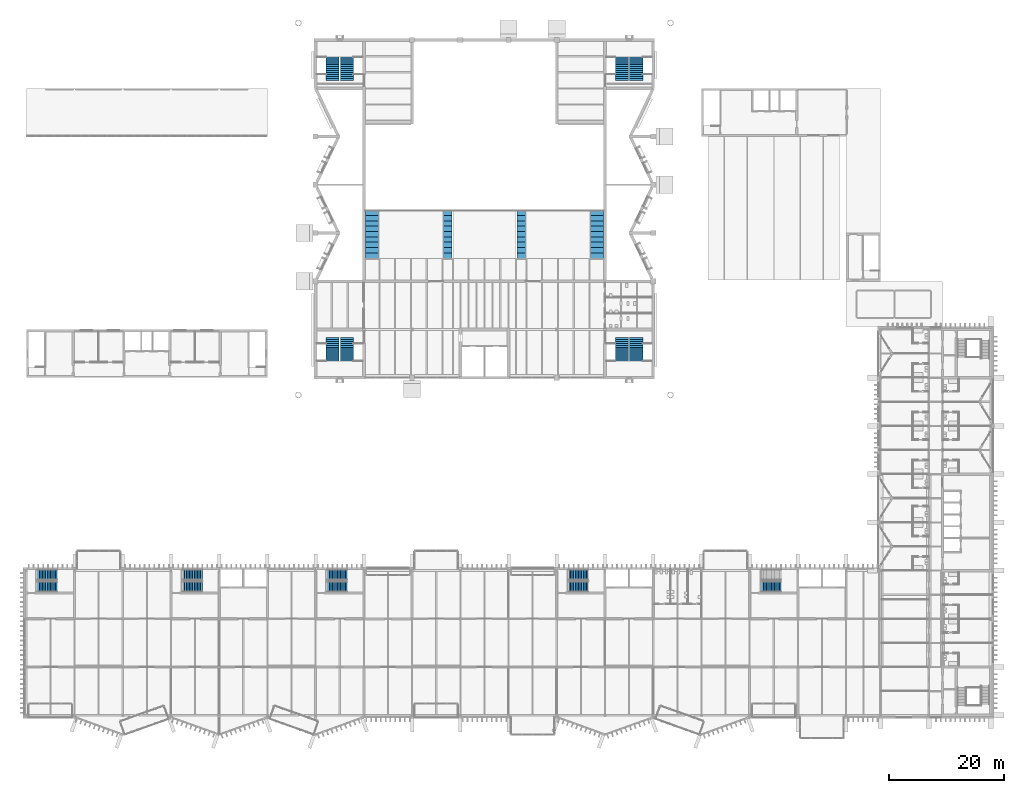
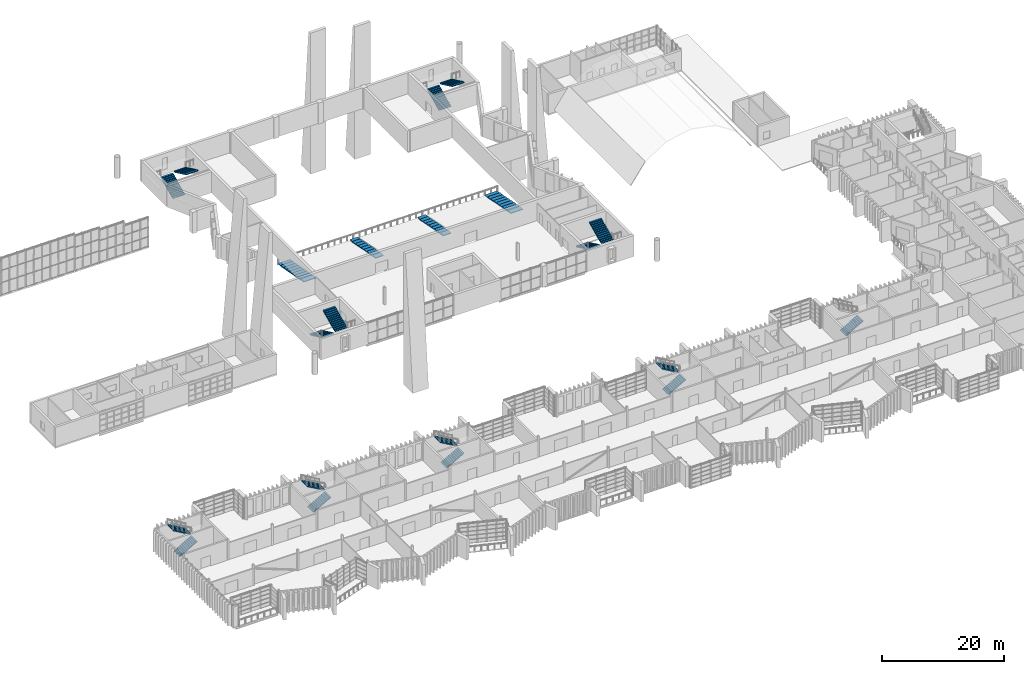
# One storey, part 80 of 100: 21 stair flights, 13 elements without a shape of their own.
"""IFC4 building model written with IfcOpenShell, lengths in metres."""

from ifc_helpers import new_model, si_unit, direction, frame, origin, place, context, subcontext, project, spatial, polyline, outline, extrude, material, type_object, element, aggregate, save


model = new_model("IFC4")

# Units and contexts
model_context = context("Model", 3, precision=1e-05, world=origin(), true_north=direction((0.0, 1.0)))
body_context = subcontext(model_context, "Body", "Model", "MODEL_VIEW")
ifc_project = project(units=[si_unit("LENGTHUNIT", "METRE"), si_unit("AREAUNIT", "SQUARE_METRE"), si_unit("VOLUMEUNIT", "CUBIC_METRE"), si_unit("PLANEANGLEUNIT", "RADIAN"), si_unit("MASSUNIT", "GRAM", prefix="KILO")], contexts=[model_context])

# Site, building, storey
site_placement = place(None, origin())
site = spatial("IfcSite", under=ifc_project, at=site_placement, CompositionType="ELEMENT")
building_placement = place(site_placement, origin())
building = spatial("IfcBuilding", under=site, at=building_placement, Name="Cresset Court Congress Hotel", CompositionType="ELEMENT")
storey_placement = place(building_placement, frame((0.0, 0.0, 10.199951171875)))
storey = spatial("IfcBuildingStorey", under=building, at=storey_placement, Name="L02", CompositionType="ELEMENT", Elevation=10.199951171875)

# Stair, stair flight
ifc_material_1 = material(Name="Concrete C40", Category="concrete")
stair_type_1 = type_object("IfcStairType", Name="Balcony aisle stair", PredefinedType="STRAIGHT_RUN_STAIR", material=ifc_material_1)
stair_1_placement = place(storey_placement, origin())
stair_1 = element("IfcStair", 1, at=stair_1_placement, inside=storey, type_object=stair_type_1, Name="Balcony aisle stair BS-1", PredefinedType="STRAIGHT_RUN_STAIR")
ifc_material_2 = material(Name="Concrete C40", Category="concrete")
stair_flight_type_1 = type_object("IfcStairFlightType", Name="Balcony aisle stair flight", PredefinedType="STRAIGHT", material=ifc_material_2)
stair_flight_1_placement = place(storey_placement, frame((68.60009765625, 88.0, -1.753173828125), z_axis=(0.0, 0.0, 1.0), x_axis=(0.0, -1.0, 0.0)))
stair_flight_1 = element("IfcStairFlight", 2, at=stair_flight_1_placement, type_object=stair_flight_type_1, Name="C-BS flight 1", NumberOfRisers=10, NumberOfTreads=9, PredefinedType="STRAIGHT", RiserHeight=0.175, TreadLength=0.933333333, context=body_context, shape_type="SweptSolid", body=[
    extrude(outline(polyline([(0.0, 0.0), (0.0, 0.175048828125), (0.933349609375, 0.175048828125), (0.933349609375, 0.35009765625), (1.86669921875, 0.35009765625), (1.86669921875, 0.52490234375), (2.800048828125, 0.52490234375), (2.800048828125, 0.699951171875), (3.7333984375, 0.699951171875), (3.7333984375, 0.875), (4.666748046875, 0.875), (4.666748046875, 1.050048828125), (5.60009765625, 1.050048828125), (5.60009765625, 1.22509765625), (6.533447265625, 1.22509765625), (6.533447265625, 1.39990234375), (7.466552734375, 1.39990234375), (7.466552734375, 1.574951171875), (8.39990234375, 1.574951171875), (8.39990234375, 1.75), (8.39990234375, 1.422607421875), (0.8134765625, 0.0), (0.0, 0.0)])), frame((0.0, 1.14990234375, 0.0), z_axis=(0.0, -1.0, 0.0), x_axis=(1.0, 0.0, 0.0)), (0.0, 0.0, 1.0), 2.300048828125),
])
aggregate(stair_1, [stair_flight_1])

stair_2_placement = place(storey_placement, origin())
stair_2 = element("IfcStair", 3, at=stair_2_placement, inside=storey, type_object=stair_type_1, Name="Balcony aisle stair BS-2", PredefinedType="STRAIGHT_RUN_STAIR")
stair_flight_2_placement = place(storey_placement, frame((81.800048828125, 88.0, -1.753173828125), z_axis=(0.0, 0.0, 1.0), x_axis=(0.0, -1.0, 0.0)))
stair_flight_2 = element("IfcStairFlight", 4, at=stair_flight_2_placement, type_object=stair_flight_type_1, Name="C-BS flight 1", NumberOfRisers=10, NumberOfTreads=9, PredefinedType="STRAIGHT", RiserHeight=0.175, TreadLength=0.933333333, context=body_context, shape_type="SweptSolid", body=[
    extrude(outline(polyline([(0.0, 0.0), (0.0, 0.175048828125), (0.933349609375, 0.175048828125), (0.933349609375, 0.35009765625), (1.86669921875, 0.35009765625), (1.86669921875, 0.52490234375), (2.800048828125, 0.52490234375), (2.800048828125, 0.699951171875), (3.7333984375, 0.699951171875), (3.7333984375, 0.875), (4.666748046875, 0.875), (4.666748046875, 1.050048828125), (5.60009765625, 1.050048828125), (5.60009765625, 1.22509765625), (6.533447265625, 1.22509765625), (6.533447265625, 1.39990234375), (7.466552734375, 1.39990234375), (7.466552734375, 1.574951171875), (8.39990234375, 1.574951171875), (8.39990234375, 1.75), (8.39990234375, 1.422607421875), (0.8134765625, 0.0), (0.0, 0.0)])), frame((0.0, 0.75, 0.0), z_axis=(0.0, -1.0, 0.0), x_axis=(1.0, 0.0, 0.0)), (0.0, 0.0, 1.0), 1.5),
])
aggregate(stair_2, [stair_flight_2])

stair_3_placement = place(storey_placement, origin())
stair_3 = element("IfcStair", 5, at=stair_3_placement, inside=storey, type_object=stair_type_1, Name="Balcony aisle stair BS-3", PredefinedType="STRAIGHT_RUN_STAIR")
stair_flight_3_placement = place(storey_placement, frame((94.60009765625, 88.0, -1.753173828125), z_axis=(0.0, 0.0, 1.0), x_axis=(0.0, -1.0, 0.0)))
stair_flight_3 = element("IfcStairFlight", 6, at=stair_flight_3_placement, type_object=stair_flight_type_1, Name="C-BS flight 1", NumberOfRisers=10, NumberOfTreads=9, PredefinedType="STRAIGHT", RiserHeight=0.175, TreadLength=0.933333333, context=body_context, shape_type="SweptSolid", body=[
    extrude(outline(polyline([(0.0, 0.0), (0.0, 0.175048828125), (0.933349609375, 0.175048828125), (0.933349609375, 0.35009765625), (1.86669921875, 0.35009765625), (1.86669921875, 0.52490234375), (2.800048828125, 0.52490234375), (2.800048828125, 0.699951171875), (3.7333984375, 0.699951171875), (3.7333984375, 0.875), (4.666748046875, 0.875), (4.666748046875, 1.050048828125), (5.60009765625, 1.050048828125), (5.60009765625, 1.22509765625), (6.533447265625, 1.22509765625), (6.533447265625, 1.39990234375), (7.466552734375, 1.39990234375), (7.466552734375, 1.574951171875), (8.39990234375, 1.574951171875), (8.39990234375, 1.75), (8.39990234375, 1.422607421875), (0.8134765625, 0.0), (0.0, 0.0)])), frame((0.0, 0.75, 0.0), z_axis=(0.0, -1.0, 0.0), x_axis=(1.0, 0.0, 0.0)), (0.0, 0.0, 1.0), 1.5),
])
aggregate(stair_3, [stair_flight_3])

stair_4_placement = place(storey_placement, origin())
stair_4 = element("IfcStair", 7, at=stair_4_placement, inside=storey, type_object=stair_type_1, Name="Balcony aisle stair BS-4", PredefinedType="STRAIGHT_RUN_STAIR")
stair_flight_4_placement = place(storey_placement, frame((107.800048828125, 88.0, -1.753173828125), z_axis=(0.0, 0.0, 1.0), x_axis=(0.0, -1.0, 0.0)))
stair_flight_4 = element("IfcStairFlight", 8, at=stair_flight_4_placement, type_object=stair_flight_type_1, Name="C-BS flight 1", NumberOfRisers=10, NumberOfTreads=9, PredefinedType="STRAIGHT", RiserHeight=0.175, TreadLength=0.933333333, context=body_context, shape_type="SweptSolid", body=[
    extrude(outline(polyline([(0.0, 0.0), (0.0, 0.175048828125), (0.933349609375, 0.175048828125), (0.933349609375, 0.35009765625), (1.86669921875, 0.35009765625), (1.86669921875, 0.52490234375), (2.800048828125, 0.52490234375), (2.800048828125, 0.699951171875), (3.7333984375, 0.699951171875), (3.7333984375, 0.875), (4.666748046875, 0.875), (4.666748046875, 1.050048828125), (5.60009765625, 1.050048828125), (5.60009765625, 1.22509765625), (6.533447265625, 1.22509765625), (6.533447265625, 1.39990234375), (7.466552734375, 1.39990234375), (7.466552734375, 1.574951171875), (8.39990234375, 1.574951171875), (8.39990234375, 1.75), (8.39990234375, 1.422607421875), (0.8134765625, 0.0), (0.0, 0.0)])), frame((0.0, 1.14990234375, 0.0), z_axis=(0.0, -1.0, 0.0), x_axis=(1.0, 0.0, 0.0)), (0.0, 0.0, 1.0), 2.300048828125),
])
aggregate(stair_4, [stair_flight_4])

# Stair, stair flights
ifc_material_3 = material(Name="Concrete C40", Category="concrete")
stair_type_2 = type_object("IfcStairType", Name="Core stair", PredefinedType="STRAIGHT_RUN_STAIR", material=ifc_material_3)
stair_5_placement = place(storey_placement, origin())
stair_5 = element("IfcStair", 9, at=stair_5_placement, inside=storey, type_object=stair_type_2, Name="Stair ST-C1 L02", PredefinedType="STRAIGHT_RUN_STAIR")
ifc_material_4 = material(Name="Concrete C40", Category="concrete")
stair_flight_type_2 = type_object("IfcStairFlightType", Name="Core stair flight", PredefinedType="STRAIGHT", material=ifc_material_4)
stair_flight_5_placement = place(storey_placement, frame((61.75, 65.800048828125, 0.0), z_axis=(0.0, 0.0, 1.0), x_axis=(0.0, -1.0, 0.0)))
stair_flight_5 = element("IfcStairFlight", 10, at=stair_flight_5_placement, type_object=stair_flight_type_2, Name="C-ST flight 1", NumberOfRisers=13, NumberOfTreads=12, PredefinedType="STRAIGHT", RiserHeight=0.161538462, TreadLength=0.34, context=body_context, shape_type="SweptSolid", body=[
    extrude(outline(polyline([(0.0, 0.0), (0.0, 0.16162109375), (0.340087890625, 0.16162109375), (0.340087890625, 0.322998046875), (0.679931640625, 0.322998046875), (0.679931640625, 0.484619140625), (1.02001953125, 0.484619140625), (1.02001953125, 0.646240234375), (1.360107421875, 0.646240234375), (1.360107421875, 0.8076171875), (1.699951171875, 0.8076171875), (1.699951171875, 0.96923828125), (2.0400390625, 0.96923828125), (2.0400390625, 1.130859375), (2.3798828125, 1.130859375), (2.3798828125, 1.292236328125), (2.719970703125, 1.292236328125), (2.719970703125, 1.453857421875), (3.06005859375, 1.453857421875), (3.06005859375, 1.615478515625), (3.39990234375, 1.615478515625), (3.39990234375, 1.77685546875), (3.739990234375, 1.77685546875), (3.739990234375, 1.9384765625), (4.080078125, 1.9384765625), (4.080078125, 2.10009765625), (4.080078125, 1.7724609375), (0.349365234375, 0.0), (0.0, 0.0)])), frame((0.0, 1.14990234375, 0.0), z_axis=(0.0, -1.0, 0.0), x_axis=(1.0, 0.0, 0.0)), (0.0, 0.0, 1.0), 2.300048828125),
])
stair_flight_6_placement = place(storey_placement, frame((64.25, 61.719970703125, 2.10009765625), z_axis=(0.0, 0.0, 1.0), x_axis=(0.0, 1.0, 0.0)))
stair_flight_6 = element("IfcStairFlight", 11, at=stair_flight_6_placement, type_object=stair_flight_type_2, Name="C-ST flight 2", NumberOfRisers=13, NumberOfTreads=12, PredefinedType="STRAIGHT", RiserHeight=0.161538462, TreadLength=0.34, context=body_context, shape_type="SweptSolid", body=[
    extrude(outline(polyline([(0.0, 0.0), (0.0, 0.16162109375), (0.340087890625, 0.16162109375), (0.340087890625, 0.322998046875), (0.679931640625, 0.322998046875), (0.679931640625, 0.484619140625), (1.02001953125, 0.484619140625), (1.02001953125, 0.646240234375), (1.360107421875, 0.646240234375), (1.360107421875, 0.8076171875), (1.699951171875, 0.8076171875), (1.699951171875, 0.96923828125), (2.0400390625, 0.96923828125), (2.0400390625, 1.130859375), (2.3798828125, 1.130859375), (2.3798828125, 1.292236328125), (2.719970703125, 1.292236328125), (2.719970703125, 1.453857421875), (3.06005859375, 1.453857421875), (3.06005859375, 1.615478515625), (3.39990234375, 1.615478515625), (3.39990234375, 1.77685546875), (3.739990234375, 1.77685546875), (3.739990234375, 1.9384765625), (4.080078125, 1.9384765625), (4.080078125, 2.10009765625), (4.080078125, 1.7724609375), (0.349365234375, 0.0), (0.0, 0.0)])), frame((0.0, 1.14990234375, 0.0), z_axis=(0.0, -1.0, 0.0), x_axis=(1.0, 0.0, 0.0)), (0.0, 0.0, 1.0), 2.300048828125),
])
aggregate(stair_5, [stair_flight_5, stair_flight_6])

stair_6_placement = place(storey_placement, origin())
stair_6 = element("IfcStair", 12, at=stair_6_placement, inside=storey, type_object=stair_type_2, Name="Stair ST-C2 L02", PredefinedType="STRAIGHT_RUN_STAIR")
stair_flight_7_placement = place(storey_placement, frame((112.14990234375, 65.800048828125, 0.0), z_axis=(0.0, 0.0, 1.0), x_axis=(0.0, -1.0, 0.0)))
stair_flight_7 = element("IfcStairFlight", 13, at=stair_flight_7_placement, type_object=stair_flight_type_2, Name="C-ST flight 1", NumberOfRisers=13, NumberOfTreads=12, PredefinedType="STRAIGHT", RiserHeight=0.161538462, TreadLength=0.34, context=body_context, shape_type="SweptSolid", body=[
    extrude(outline(polyline([(0.0, 0.0), (0.0, 0.16162109375), (0.340087890625, 0.16162109375), (0.340087890625, 0.322998046875), (0.679931640625, 0.322998046875), (0.679931640625, 0.484619140625), (1.02001953125, 0.484619140625), (1.02001953125, 0.646240234375), (1.360107421875, 0.646240234375), (1.360107421875, 0.8076171875), (1.699951171875, 0.8076171875), (1.699951171875, 0.96923828125), (2.0400390625, 0.96923828125), (2.0400390625, 1.130859375), (2.3798828125, 1.130859375), (2.3798828125, 1.292236328125), (2.719970703125, 1.292236328125), (2.719970703125, 1.453857421875), (3.06005859375, 1.453857421875), (3.06005859375, 1.615478515625), (3.39990234375, 1.615478515625), (3.39990234375, 1.77685546875), (3.739990234375, 1.77685546875), (3.739990234375, 1.9384765625), (4.080078125, 1.9384765625), (4.080078125, 2.10009765625), (4.080078125, 1.7724609375), (0.349365234375, 0.0), (0.0, 0.0)])), frame((0.0, 1.14990234375, 0.0), z_axis=(0.0, -1.0, 0.0), x_axis=(1.0, 0.0, 0.0)), (0.0, 0.0, 1.0), 2.300048828125),
])
stair_flight_8_placement = place(storey_placement, frame((114.64990234375, 61.719970703125, 2.10009765625), z_axis=(0.0, 0.0, 1.0), x_axis=(0.0, 1.0, 0.0)))
stair_flight_8 = element("IfcStairFlight", 14, at=stair_flight_8_placement, type_object=stair_flight_type_2, Name="C-ST flight 2", NumberOfRisers=13, NumberOfTreads=12, PredefinedType="STRAIGHT", RiserHeight=0.161538462, TreadLength=0.34, context=body_context, shape_type="SweptSolid", body=[
    extrude(outline(polyline([(0.0, 0.0), (0.0, 0.16162109375), (0.340087890625, 0.16162109375), (0.340087890625, 0.322998046875), (0.679931640625, 0.322998046875), (0.679931640625, 0.484619140625), (1.02001953125, 0.484619140625), (1.02001953125, 0.646240234375), (1.360107421875, 0.646240234375), (1.360107421875, 0.8076171875), (1.699951171875, 0.8076171875), (1.699951171875, 0.96923828125), (2.0400390625, 0.96923828125), (2.0400390625, 1.130859375), (2.3798828125, 1.130859375), (2.3798828125, 1.292236328125), (2.719970703125, 1.292236328125), (2.719970703125, 1.453857421875), (3.06005859375, 1.453857421875), (3.06005859375, 1.615478515625), (3.39990234375, 1.615478515625), (3.39990234375, 1.77685546875), (3.739990234375, 1.77685546875), (3.739990234375, 1.9384765625), (4.080078125, 1.9384765625), (4.080078125, 2.10009765625), (4.080078125, 1.7724609375), (0.349365234375, 0.0), (0.0, 0.0)])), frame((0.0, 1.14990234375, 0.0), z_axis=(0.0, -1.0, 0.0), x_axis=(1.0, 0.0, 0.0)), (0.0, 0.0, 1.0), 2.300048828125),
])
aggregate(stair_6, [stair_flight_7, stair_flight_8])

stair_7_placement = place(storey_placement, origin())
stair_7 = element("IfcStair", 15, at=stair_7_placement, inside=storey, type_object=stair_type_2, Name="Stair ST-C3 L02", PredefinedType="STRAIGHT_RUN_STAIR")
stair_flight_9_placement = place(storey_placement, frame((61.75, 110.60009765625, 0.0), z_axis=(0.0, 0.0, 1.0), x_axis=(0.0, 1.0, 0.0)))
stair_flight_9 = element("IfcStairFlight", 16, at=stair_flight_9_placement, type_object=stair_flight_type_2, Name="C-ST flight 1", NumberOfRisers=13, NumberOfTreads=12, PredefinedType="STRAIGHT", RiserHeight=0.161538462, TreadLength=0.34, context=body_context, shape_type="SweptSolid", body=[
    extrude(outline(polyline([(0.0, 0.0), (0.0, 0.16162109375), (0.340087890625, 0.16162109375), (0.340087890625, 0.322998046875), (0.679931640625, 0.322998046875), (0.679931640625, 0.484619140625), (1.02001953125, 0.484619140625), (1.02001953125, 0.646240234375), (1.360107421875, 0.646240234375), (1.360107421875, 0.8076171875), (1.699951171875, 0.8076171875), (1.699951171875, 0.96923828125), (2.0400390625, 0.96923828125), (2.0400390625, 1.130859375), (2.3798828125, 1.130859375), (2.3798828125, 1.292236328125), (2.719970703125, 1.292236328125), (2.719970703125, 1.453857421875), (3.06005859375, 1.453857421875), (3.06005859375, 1.615478515625), (3.39990234375, 1.615478515625), (3.39990234375, 1.77685546875), (3.739990234375, 1.77685546875), (3.739990234375, 1.9384765625), (4.080078125, 1.9384765625), (4.080078125, 2.10009765625), (4.080078125, 1.7724609375), (0.349365234375, 0.0), (0.0, 0.0)])), frame((0.0, 1.14990234375, 0.0), z_axis=(0.0, -1.0, 0.0), x_axis=(1.0, 0.0, 0.0)), (0.0, 0.0, 1.0), 2.300048828125),
])
stair_flight_10_placement = place(storey_placement, frame((64.25, 114.679931640625, 2.10009765625), z_axis=(0.0, 0.0, 1.0), x_axis=(0.0, -1.0, 0.0)))
stair_flight_10 = element("IfcStairFlight", 17, at=stair_flight_10_placement, type_object=stair_flight_type_2, Name="C-ST flight 2", NumberOfRisers=13, NumberOfTreads=12, PredefinedType="STRAIGHT", RiserHeight=0.161538462, TreadLength=0.34, context=body_context, shape_type="SweptSolid", body=[
    extrude(outline(polyline([(0.0, 0.0), (0.0, 0.16162109375), (0.340087890625, 0.16162109375), (0.340087890625, 0.322998046875), (0.679931640625, 0.322998046875), (0.679931640625, 0.484619140625), (1.02001953125, 0.484619140625), (1.02001953125, 0.646240234375), (1.360107421875, 0.646240234375), (1.360107421875, 0.8076171875), (1.699951171875, 0.8076171875), (1.699951171875, 0.96923828125), (2.0400390625, 0.96923828125), (2.0400390625, 1.130859375), (2.3798828125, 1.130859375), (2.3798828125, 1.292236328125), (2.719970703125, 1.292236328125), (2.719970703125, 1.453857421875), (3.06005859375, 1.453857421875), (3.06005859375, 1.615478515625), (3.39990234375, 1.615478515625), (3.39990234375, 1.77685546875), (3.739990234375, 1.77685546875), (3.739990234375, 1.9384765625), (4.080078125, 1.9384765625), (4.080078125, 2.10009765625), (4.080078125, 1.7724609375), (0.349365234375, 0.0), (0.0, 0.0)])), frame((0.0, 1.14990234375, 0.0), z_axis=(0.0, -1.0, 0.0), x_axis=(1.0, 0.0, 0.0)), (0.0, 0.0, 1.0), 2.300048828125),
])
aggregate(stair_7, [stair_flight_9, stair_flight_10])

stair_8_placement = place(storey_placement, origin())
stair_8 = element("IfcStair", 18, at=stair_8_placement, inside=storey, type_object=stair_type_2, Name="Stair ST-C4 L02", PredefinedType="STRAIGHT_RUN_STAIR")
stair_flight_11_placement = place(storey_placement, frame((112.14990234375, 110.60009765625, 0.0), z_axis=(0.0, 0.0, 1.0), x_axis=(0.0, 1.0, 0.0)))
stair_flight_11 = element("IfcStairFlight", 19, at=stair_flight_11_placement, type_object=stair_flight_type_2, Name="C-ST flight 1", NumberOfRisers=13, NumberOfTreads=12, PredefinedType="STRAIGHT", RiserHeight=0.161538462, TreadLength=0.34, context=body_context, shape_type="SweptSolid", body=[
    extrude(outline(polyline([(0.0, 0.0), (0.0, 0.16162109375), (0.340087890625, 0.16162109375), (0.340087890625, 0.322998046875), (0.679931640625, 0.322998046875), (0.679931640625, 0.484619140625), (1.02001953125, 0.484619140625), (1.02001953125, 0.646240234375), (1.360107421875, 0.646240234375), (1.360107421875, 0.8076171875), (1.699951171875, 0.8076171875), (1.699951171875, 0.96923828125), (2.0400390625, 0.96923828125), (2.0400390625, 1.130859375), (2.3798828125, 1.130859375), (2.3798828125, 1.292236328125), (2.719970703125, 1.292236328125), (2.719970703125, 1.453857421875), (3.06005859375, 1.453857421875), (3.06005859375, 1.615478515625), (3.39990234375, 1.615478515625), (3.39990234375, 1.77685546875), (3.739990234375, 1.77685546875), (3.739990234375, 1.9384765625), (4.080078125, 1.9384765625), (4.080078125, 2.10009765625), (4.080078125, 1.7724609375), (0.349365234375, 0.0), (0.0, 0.0)])), frame((0.0, 1.14990234375, 0.0), z_axis=(0.0, -1.0, 0.0), x_axis=(1.0, 0.0, 0.0)), (0.0, 0.0, 1.0), 2.300048828125),
])
stair_flight_12_placement = place(storey_placement, frame((114.64990234375, 114.679931640625, 2.10009765625), z_axis=(0.0, 0.0, 1.0), x_axis=(0.0, -1.0, 0.0)))
stair_flight_12 = element("IfcStairFlight", 20, at=stair_flight_12_placement, type_object=stair_flight_type_2, Name="C-ST flight 2", NumberOfRisers=13, NumberOfTreads=12, PredefinedType="STRAIGHT", RiserHeight=0.161538462, TreadLength=0.34, context=body_context, shape_type="SweptSolid", body=[
    extrude(outline(polyline([(0.0, 0.0), (0.0, 0.16162109375), (0.340087890625, 0.16162109375), (0.340087890625, 0.322998046875), (0.679931640625, 0.322998046875), (0.679931640625, 0.484619140625), (1.02001953125, 0.484619140625), (1.02001953125, 0.646240234375), (1.360107421875, 0.646240234375), (1.360107421875, 0.8076171875), (1.699951171875, 0.8076171875), (1.699951171875, 0.96923828125), (2.0400390625, 0.96923828125), (2.0400390625, 1.130859375), (2.3798828125, 1.130859375), (2.3798828125, 1.292236328125), (2.719970703125, 1.292236328125), (2.719970703125, 1.453857421875), (3.06005859375, 1.453857421875), (3.06005859375, 1.615478515625), (3.39990234375, 1.615478515625), (3.39990234375, 1.77685546875), (3.739990234375, 1.77685546875), (3.739990234375, 1.9384765625), (4.080078125, 1.9384765625), (4.080078125, 2.10009765625), (4.080078125, 1.7724609375), (0.349365234375, 0.0), (0.0, 0.0)])), frame((0.0, 1.14990234375, 0.0), z_axis=(0.0, -1.0, 0.0), x_axis=(1.0, 0.0, 0.0)), (0.0, 0.0, 1.0), 2.300048828125),
])
aggregate(stair_8, [stair_flight_11, stair_flight_12])

ifc_material_5 = material(Name="Concrete C40", Category="concrete")
stair_type_3 = type_object("IfcStairType", Name="Dog-leg stair 1400 flights", PredefinedType="HALF_TURN_STAIR", material=ifc_material_5)
stair_9_placement = place(storey_placement, origin())
stair_9 = element("IfcStair", 21, at=stair_9_placement, inside=storey, type_object=stair_type_3, Name="L02 Stair ST-B1", PredefinedType="HALF_TURN_STAIR")
ifc_material_6 = material(Name="Concrete C40", Category="concrete")
stair_flight_type_3 = type_object("IfcStairFlightType", Name="Stair flight 1400", PredefinedType="STRAIGHT", material=ifc_material_6)
stair_flight_13_placement = place(storey_placement, frame((10.3798828125, 22.39990234375, 0.0), z_axis=(0.0, 0.0, 1.0), x_axis=(1.0, 0.0, 0.0)))
stair_flight_13 = element("IfcStairFlight", 22, at=stair_flight_13_placement, type_object=stair_flight_type_3, Name="ST-B1 flight 1", NumberOfRisers=13, NumberOfTreads=12, PredefinedType="STRAIGHT", RiserHeight=0.161538462, TreadLength=0.28, context=body_context, shape_type="SweptSolid", body=[
    extrude(outline(polyline([(0.0, 0.0), (0.0, 0.16162109375), (0.280029296875, 0.16162109375), (0.280029296875, 0.322998046875), (0.56005859375, 0.322998046875), (0.56005859375, 0.484619140625), (0.840087890625, 0.484619140625), (0.840087890625, 0.646240234375), (1.1201171875, 0.646240234375), (1.1201171875, 0.8076171875), (1.39990234375, 0.8076171875), (1.39990234375, 0.96923828125), (1.679931640625, 0.96923828125), (1.679931640625, 1.130859375), (1.9599609375, 1.130859375), (1.9599609375, 1.292236328125), (2.239990234375, 1.292236328125), (2.239990234375, 1.453857421875), (2.52001953125, 1.453857421875), (2.52001953125, 1.615478515625), (2.800048828125, 1.615478515625), (2.800048828125, 1.77685546875), (3.080078125, 1.77685546875), (3.080078125, 1.9384765625), (3.360107421875, 1.9384765625), (3.360107421875, 2.10009765625), (3.360107421875, 1.765380859375), (0.300048828125, 0.0), (0.0, 0.0)])), frame((0.0, 0.949951171875, 0.0), z_axis=(0.0, -1.0, 0.0), x_axis=(1.0, 0.0, 0.0)), (0.0, 0.0, 1.0), 1.89990234375),
])
stair_flight_14_placement = place(storey_placement, frame((13.739990234375, 24.449951171875, 2.10009765625), z_axis=(0.0, 0.0, 1.0), x_axis=(-1.0, 0.0, 0.0)))
stair_flight_14 = element("IfcStairFlight", 23, at=stair_flight_14_placement, type_object=stair_flight_type_3, Name="ST-B1 flight 2", NumberOfRisers=13, NumberOfTreads=12, PredefinedType="STRAIGHT", RiserHeight=0.161538462, TreadLength=0.28, context=body_context, shape_type="SweptSolid", body=[
    extrude(outline(polyline([(0.0, 0.0), (0.0, 0.16162109375), (0.280029296875, 0.16162109375), (0.280029296875, 0.322998046875), (0.56005859375, 0.322998046875), (0.56005859375, 0.484619140625), (0.840087890625, 0.484619140625), (0.840087890625, 0.646240234375), (1.1201171875, 0.646240234375), (1.1201171875, 0.8076171875), (1.39990234375, 0.8076171875), (1.39990234375, 0.96923828125), (1.679931640625, 0.96923828125), (1.679931640625, 1.130859375), (1.9599609375, 1.130859375), (1.9599609375, 1.292236328125), (2.239990234375, 1.292236328125), (2.239990234375, 1.453857421875), (2.52001953125, 1.453857421875), (2.52001953125, 1.615478515625), (2.800048828125, 1.615478515625), (2.800048828125, 1.77685546875), (3.080078125, 1.77685546875), (3.080078125, 1.9384765625), (3.360107421875, 1.9384765625), (3.360107421875, 2.10009765625), (3.360107421875, 1.765380859375), (0.300048828125, 0.0), (0.0, 0.0)])), frame((0.0, 0.949951171875, 0.0), z_axis=(0.0, -1.0, 0.0), x_axis=(1.0, 0.0, 0.0)), (0.0, 0.0, 1.0), 1.89990234375),
])
aggregate(stair_9, [stair_flight_13, stair_flight_14])

stair_10_placement = place(storey_placement, origin())
stair_10 = element("IfcStair", 24, at=stair_10_placement, inside=storey, type_object=stair_type_3, Name="L02 Stair ST-B2", PredefinedType="HALF_TURN_STAIR")
stair_flight_15_placement = place(storey_placement, frame((35.699951171875, 22.39990234375, 0.0), z_axis=(0.0, 0.0, 1.0), x_axis=(1.0, 0.0, 0.0)))
stair_flight_15 = element("IfcStairFlight", 25, at=stair_flight_15_placement, type_object=stair_flight_type_3, Name="ST-B2 flight 1", NumberOfRisers=13, NumberOfTreads=12, PredefinedType="STRAIGHT", RiserHeight=0.161538462, TreadLength=0.28, context=body_context, shape_type="SweptSolid", body=[
    extrude(outline(polyline([(0.0, 0.0), (0.0, 0.16162109375), (0.280029296875, 0.16162109375), (0.280029296875, 0.322998046875), (0.56005859375, 0.322998046875), (0.56005859375, 0.484619140625), (0.840087890625, 0.484619140625), (0.840087890625, 0.646240234375), (1.1201171875, 0.646240234375), (1.1201171875, 0.8076171875), (1.39990234375, 0.8076171875), (1.39990234375, 0.96923828125), (1.679931640625, 0.96923828125), (1.679931640625, 1.130859375), (1.9599609375, 1.130859375), (1.9599609375, 1.292236328125), (2.239990234375, 1.292236328125), (2.239990234375, 1.453857421875), (2.52001953125, 1.453857421875), (2.52001953125, 1.615478515625), (2.800048828125, 1.615478515625), (2.800048828125, 1.77685546875), (3.080078125, 1.77685546875), (3.080078125, 1.9384765625), (3.360107421875, 1.9384765625), (3.360107421875, 2.10009765625), (3.360107421875, 1.765380859375), (0.300048828125, 0.0), (0.0, 0.0)])), frame((0.0, 0.949951171875, 0.0), z_axis=(0.0, -1.0, 0.0), x_axis=(1.0, 0.0, 0.0)), (0.0, 0.0, 1.0), 1.89990234375),
])
stair_flight_16_placement = place(storey_placement, frame((39.06005859375, 24.449951171875, 2.10009765625), z_axis=(0.0, 0.0, 1.0), x_axis=(-1.0, 0.0, 0.0)))
stair_flight_16 = element("IfcStairFlight", 26, at=stair_flight_16_placement, type_object=stair_flight_type_3, Name="ST-B2 flight 2", NumberOfRisers=13, NumberOfTreads=12, PredefinedType="STRAIGHT", RiserHeight=0.161538462, TreadLength=0.28, context=body_context, shape_type="SweptSolid", body=[
    extrude(outline(polyline([(0.0, 0.0), (0.0, 0.16162109375), (0.280029296875, 0.16162109375), (0.280029296875, 0.322998046875), (0.56005859375, 0.322998046875), (0.56005859375, 0.484619140625), (0.840087890625, 0.484619140625), (0.840087890625, 0.646240234375), (1.1201171875, 0.646240234375), (1.1201171875, 0.8076171875), (1.39990234375, 0.8076171875), (1.39990234375, 0.96923828125), (1.679931640625, 0.96923828125), (1.679931640625, 1.130859375), (1.9599609375, 1.130859375), (1.9599609375, 1.292236328125), (2.239990234375, 1.292236328125), (2.239990234375, 1.453857421875), (2.52001953125, 1.453857421875), (2.52001953125, 1.615478515625), (2.800048828125, 1.615478515625), (2.800048828125, 1.77685546875), (3.080078125, 1.77685546875), (3.080078125, 1.9384765625), (3.360107421875, 1.9384765625), (3.360107421875, 2.10009765625), (3.360107421875, 1.765380859375), (0.300048828125, 0.0), (0.0, 0.0)])), frame((0.0, 0.949951171875, 0.0), z_axis=(0.0, -1.0, 0.0), x_axis=(1.0, 0.0, 0.0)), (0.0, 0.0, 1.0), 1.89990234375),
])
aggregate(stair_10, [stair_flight_15, stair_flight_16])

stair_11_placement = place(storey_placement, origin())
stair_11 = element("IfcStair", 27, at=stair_11_placement, inside=storey, type_object=stair_type_3, Name="L02 Stair ST-B3", PredefinedType="HALF_TURN_STAIR")
stair_flight_17_placement = place(storey_placement, frame((60.89990234375, 22.39990234375, 0.0), z_axis=(0.0, 0.0, 1.0), x_axis=(1.0, 0.0, 0.0)))
stair_flight_17 = element("IfcStairFlight", 28, at=stair_flight_17_placement, type_object=stair_flight_type_3, Name="ST-B3 flight 1", NumberOfRisers=13, NumberOfTreads=12, PredefinedType="STRAIGHT", RiserHeight=0.161538462, TreadLength=0.28, context=body_context, shape_type="SweptSolid", body=[
    extrude(outline(polyline([(0.0, 0.0), (0.0, 0.16162109375), (0.280029296875, 0.16162109375), (0.280029296875, 0.322998046875), (0.56005859375, 0.322998046875), (0.56005859375, 0.484619140625), (0.840087890625, 0.484619140625), (0.840087890625, 0.646240234375), (1.1201171875, 0.646240234375), (1.1201171875, 0.8076171875), (1.39990234375, 0.8076171875), (1.39990234375, 0.96923828125), (1.679931640625, 0.96923828125), (1.679931640625, 1.130859375), (1.9599609375, 1.130859375), (1.9599609375, 1.292236328125), (2.239990234375, 1.292236328125), (2.239990234375, 1.453857421875), (2.52001953125, 1.453857421875), (2.52001953125, 1.615478515625), (2.800048828125, 1.615478515625), (2.800048828125, 1.77685546875), (3.080078125, 1.77685546875), (3.080078125, 1.9384765625), (3.360107421875, 1.9384765625), (3.360107421875, 2.10009765625), (3.360107421875, 1.765380859375), (0.300048828125, 0.0), (0.0, 0.0)])), frame((0.0, 0.949951171875, 0.0), z_axis=(0.0, -1.0, 0.0), x_axis=(1.0, 0.0, 0.0)), (0.0, 0.0, 1.0), 1.89990234375),
])
stair_flight_18_placement = place(storey_placement, frame((64.260009765625, 24.449951171875, 2.10009765625), z_axis=(0.0, 0.0, 1.0), x_axis=(-1.0, 0.0, 0.0)))
stair_flight_18 = element("IfcStairFlight", 29, at=stair_flight_18_placement, type_object=stair_flight_type_3, Name="ST-B3 flight 2", NumberOfRisers=13, NumberOfTreads=12, PredefinedType="STRAIGHT", RiserHeight=0.161538462, TreadLength=0.28, context=body_context, shape_type="SweptSolid", body=[
    extrude(outline(polyline([(0.0, 0.0), (0.0, 0.16162109375), (0.280029296875, 0.16162109375), (0.280029296875, 0.322998046875), (0.56005859375, 0.322998046875), (0.56005859375, 0.484619140625), (0.840087890625, 0.484619140625), (0.840087890625, 0.646240234375), (1.1201171875, 0.646240234375), (1.1201171875, 0.8076171875), (1.39990234375, 0.8076171875), (1.39990234375, 0.96923828125), (1.679931640625, 0.96923828125), (1.679931640625, 1.130859375), (1.9599609375, 1.130859375), (1.9599609375, 1.292236328125), (2.239990234375, 1.292236328125), (2.239990234375, 1.453857421875), (2.52001953125, 1.453857421875), (2.52001953125, 1.615478515625), (2.800048828125, 1.615478515625), (2.800048828125, 1.77685546875), (3.080078125, 1.77685546875), (3.080078125, 1.9384765625), (3.360107421875, 1.9384765625), (3.360107421875, 2.10009765625), (3.360107421875, 1.765380859375), (0.300048828125, 0.0), (0.0, 0.0)])), frame((0.0, 0.949951171875, 0.0), z_axis=(0.0, -1.0, 0.0), x_axis=(1.0, 0.0, 0.0)), (0.0, 0.0, 1.0), 1.89990234375),
])
aggregate(stair_11, [stair_flight_17, stair_flight_18])

stair_12_placement = place(storey_placement, origin())
stair_12 = element("IfcStair", 30, at=stair_12_placement, inside=storey, type_object=stair_type_3, Name="L02 Stair ST-B4", PredefinedType="HALF_TURN_STAIR")
stair_flight_19_placement = place(storey_placement, frame((102.89990234375, 22.39990234375, 0.0), z_axis=(0.0, 0.0, 1.0), x_axis=(1.0, 0.0, 0.0)))
stair_flight_19 = element("IfcStairFlight", 31, at=stair_flight_19_placement, type_object=stair_flight_type_3, Name="ST-B4 flight 1", NumberOfRisers=13, NumberOfTreads=12, PredefinedType="STRAIGHT", RiserHeight=0.161538462, TreadLength=0.28, context=body_context, shape_type="SweptSolid", body=[
    extrude(outline(polyline([(0.0, 0.0), (0.0, 0.16162109375), (0.280029296875, 0.16162109375), (0.280029296875, 0.322998046875), (0.56005859375, 0.322998046875), (0.56005859375, 0.484619140625), (0.840087890625, 0.484619140625), (0.840087890625, 0.646240234375), (1.1201171875, 0.646240234375), (1.1201171875, 0.8076171875), (1.39990234375, 0.8076171875), (1.39990234375, 0.96923828125), (1.679931640625, 0.96923828125), (1.679931640625, 1.130859375), (1.9599609375, 1.130859375), (1.9599609375, 1.292236328125), (2.239990234375, 1.292236328125), (2.239990234375, 1.453857421875), (2.52001953125, 1.453857421875), (2.52001953125, 1.615478515625), (2.800048828125, 1.615478515625), (2.800048828125, 1.77685546875), (3.080078125, 1.77685546875), (3.080078125, 1.9384765625), (3.360107421875, 1.9384765625), (3.360107421875, 2.10009765625), (3.360107421875, 1.765380859375), (0.300048828125, 0.0), (0.0, 0.0)])), frame((0.0, 0.949951171875, 0.0), z_axis=(0.0, -1.0, 0.0), x_axis=(1.0, 0.0, 0.0)), (0.0, 0.0, 1.0), 1.89990234375),
])
stair_flight_20_placement = place(storey_placement, frame((106.260009765625, 24.449951171875, 2.10009765625), z_axis=(0.0, 0.0, 1.0), x_axis=(-1.0, 0.0, 0.0)))
stair_flight_20 = element("IfcStairFlight", 32, at=stair_flight_20_placement, type_object=stair_flight_type_3, Name="ST-B4 flight 2", NumberOfRisers=13, NumberOfTreads=12, PredefinedType="STRAIGHT", RiserHeight=0.161538462, TreadLength=0.28, context=body_context, shape_type="SweptSolid", body=[
    extrude(outline(polyline([(0.0, 0.0), (0.0, 0.16162109375), (0.280029296875, 0.16162109375), (0.280029296875, 0.322998046875), (0.56005859375, 0.322998046875), (0.56005859375, 0.484619140625), (0.840087890625, 0.484619140625), (0.840087890625, 0.646240234375), (1.1201171875, 0.646240234375), (1.1201171875, 0.8076171875), (1.39990234375, 0.8076171875), (1.39990234375, 0.96923828125), (1.679931640625, 0.96923828125), (1.679931640625, 1.130859375), (1.9599609375, 1.130859375), (1.9599609375, 1.292236328125), (2.239990234375, 1.292236328125), (2.239990234375, 1.453857421875), (2.52001953125, 1.453857421875), (2.52001953125, 1.615478515625), (2.800048828125, 1.615478515625), (2.800048828125, 1.77685546875), (3.080078125, 1.77685546875), (3.080078125, 1.9384765625), (3.360107421875, 1.9384765625), (3.360107421875, 2.10009765625), (3.360107421875, 1.765380859375), (0.300048828125, 0.0), (0.0, 0.0)])), frame((0.0, 0.949951171875, 0.0), z_axis=(0.0, -1.0, 0.0), x_axis=(1.0, 0.0, 0.0)), (0.0, 0.0, 1.0), 1.89990234375),
])
aggregate(stair_12, [stair_flight_19, stair_flight_20])

# Stair, stair flight
stair_13_placement = place(storey_placement, origin())
stair_13 = element("IfcStair", 33, at=stair_13_placement, inside=storey, type_object=stair_type_3, Name="L02 Stair ST-B5", PredefinedType="HALF_TURN_STAIR")
stair_flight_21_placement = place(storey_placement, frame((136.5, 22.39990234375, 0.0), z_axis=(0.0, 0.0, 1.0), x_axis=(1.0, 0.0, 0.0)))
stair_flight_21 = element("IfcStairFlight", 34, at=stair_flight_21_placement, type_object=stair_flight_type_3, Name="ST-B5 flight 1", NumberOfRisers=13, NumberOfTreads=12, PredefinedType="STRAIGHT", RiserHeight=0.161538462, TreadLength=0.28, context=body_context, shape_type="SweptSolid", body=[
    extrude(outline(polyline([(0.0, 0.0), (0.0, 0.16162109375), (0.280029296875, 0.16162109375), (0.280029296875, 0.322998046875), (0.56005859375, 0.322998046875), (0.56005859375, 0.484619140625), (0.840087890625, 0.484619140625), (0.840087890625, 0.646240234375), (1.1201171875, 0.646240234375), (1.1201171875, 0.8076171875), (1.39990234375, 0.8076171875), (1.39990234375, 0.96923828125), (1.679931640625, 0.96923828125), (1.679931640625, 1.130859375), (1.9599609375, 1.130859375), (1.9599609375, 1.292236328125), (2.239990234375, 1.292236328125), (2.239990234375, 1.453857421875), (2.52001953125, 1.453857421875), (2.52001953125, 1.615478515625), (2.800048828125, 1.615478515625), (2.800048828125, 1.77685546875), (3.080078125, 1.77685546875), (3.080078125, 1.9384765625), (3.360107421875, 1.9384765625), (3.360107421875, 2.10009765625), (3.360107421875, 1.765380859375), (0.300048828125, 0.0), (0.0, 0.0)])), frame((0.0, 0.949951171875, 0.0), z_axis=(0.0, -1.0, 0.0), x_axis=(1.0, 0.0, 0.0)), (0.0, 0.0, 1.0), 1.89990234375),
])
aggregate(stair_13, [stair_flight_21])

save(model, "model.ifc")
